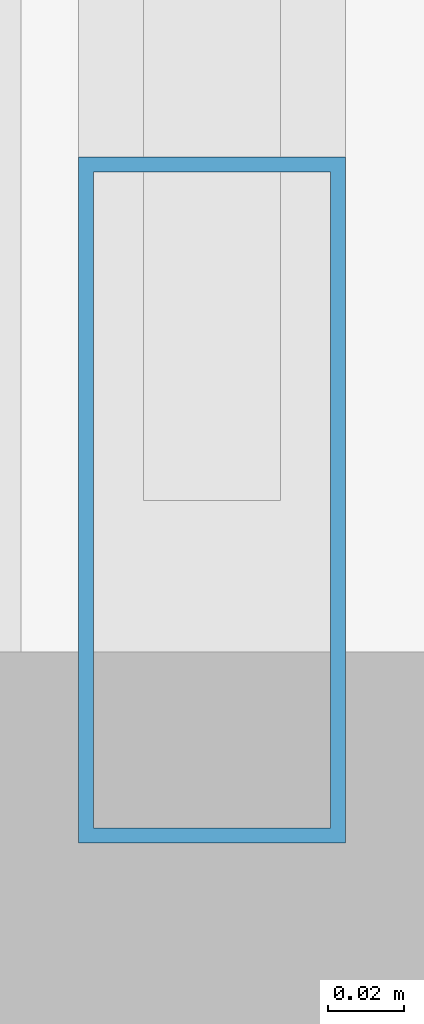
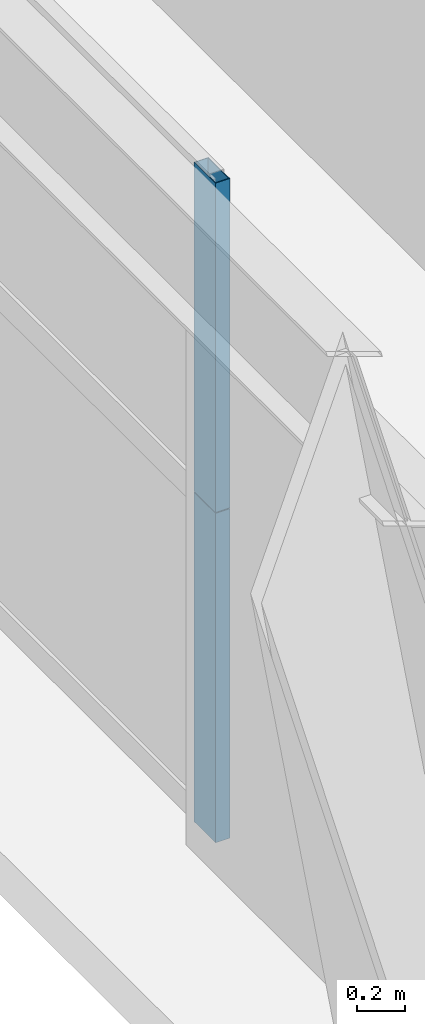
# One storey, part 5 of 41: 2 members, 1 element without a shape of its own.
"""IFC4 building model written with IfcOpenShell, lengths in metres."""

from ifc_helpers import new_model, si_unit, direction, frame, origin, origin_2d, place, context, subcontext, project, spatial, hollow_rectangle, extrude, source, transform, mapped, material, layer, layer_set, material_profile, profile_set, type_object, element, aggregate, save


model = new_model("IFC4")

# Units and contexts
model_context = context("Model", 3, precision=1e-05, world=origin(), true_north=direction((0.0, 1.0)))
body_context = subcontext(model_context, "Body", "Model", "MODEL_VIEW")
ifc_project = project(units=[si_unit("LENGTHUNIT", "METRE"), si_unit("AREAUNIT", "SQUARE_METRE"), si_unit("VOLUMEUNIT", "CUBIC_METRE"), si_unit("PLANEANGLEUNIT", "RADIAN"), si_unit("MASSUNIT", "GRAM", prefix="KILO"), si_unit("THERMODYNAMICTEMPERATUREUNIT", "KELVIN"), si_unit("POWERUNIT", "WATT")], contexts=[model_context])

# Site, building, storey
site_placement = place(None, origin())
site = spatial("IfcSite", under=ifc_project, at=site_placement, CompositionType="ELEMENT")
building_placement = place(site_placement, origin())
building = spatial("IfcBuilding", under=site, at=building_placement, Name="Yuzanri Waterfront Tower", CompositionType="ELEMENT")
storey_placement = place(building_placement, frame((0.0, 0.0, 115.39990234375)))
storey = spatial("IfcBuildingStorey", under=building, at=storey_placement, Name="L30", CompositionType="ELEMENT", Elevation=115.39990234375)

# Curtain wall, members
ifc_material_1 = material(Name="Anodized Architectural Bronze", Category="metal")
ifc_layer = layer(ifc_material_1, 0.159912109375)
ifc_layer_set = layer_set([ifc_layer], Name="Anodized Architectural Bronze")
curtain_wall_type = type_object("IfcCurtainWallType", Name="Anodized Bronze Hotel Upper-Tier Solar-Control Unitized Curtain Wall 7800", PredefinedType="NOTDEFINED", material=ifc_layer_set)
curtain_wall_placement = place(storey_placement, origin())
curtain_wall = element("IfcCurtainWall", 1, at=curtain_wall_placement, inside=storey, type_object=curtain_wall_type, Name="L30 Curtain Wall CW-L30-WL1", PredefinedType="NOTDEFINED")
ifc_material_2 = material(Name="Anodized Architectural Bronze", Category="metal")
ifc_material_profile = material_profile(ifc_material_2, hollow_rectangle(XDim=0.070068359375, YDim=0.179931640625, WallThickness=0.00390625, at=origin_2d()), Name="CWM 70x180")
ifc_profile_set = profile_set([ifc_material_profile], Name="Anodized Architectural Bronze")
member_type = type_object("IfcMemberType", Name="Anodized Bronze Standard Curtain-Wall Mullion 70x180", PredefinedType="MULLION", material=ifc_profile_set)
shared_shape = source(origin(), body_context, "Body", "SweptSolid", [
    extrude(hollow_rectangle(XDim=0.070068359375, YDim=0.179931640625, WallThickness=0.00390625, at=origin_2d()), origin(), (0.0, 0.0, 1.0), 1.68798828125),
])
member_1_placement = place(storey_placement, frame((13.550048828125, 9.590087890625, 0.0), z_axis=(0.0, 0.0, 1.0), x_axis=(1.0, 0.0, 0.0)))
member_1 = element("IfcMember", 2, at=member_1_placement, type_object=member_type, Name="CW-L30-WL1 Lower Mullion 00", PredefinedType="MULLION", context=body_context, shape_type="MappedRepresentation", body=[
    mapped(shared_shape, transform((0.0, 0.0, 0.0), scale=1.0)),
])
member_2_placement = place(storey_placement, frame((13.550048828125, 9.590087890625, 1.692138671875), z_axis=(0.0, 0.0, 1.0), x_axis=(1.0, 0.0, 0.0)))
member_2 = element("IfcMember", 3, at=member_2_placement, type_object=member_type, Name="CW-L30-WL1 Upper Mullion 00", PredefinedType="MULLION", context=body_context, shape_type="MappedRepresentation", body=[
    mapped(shared_shape, transform((0.0, 0.0, 0.0), scale=1.0)),
])
aggregate(curtain_wall, [member_1, member_2])

save(model, "model.ifc")
